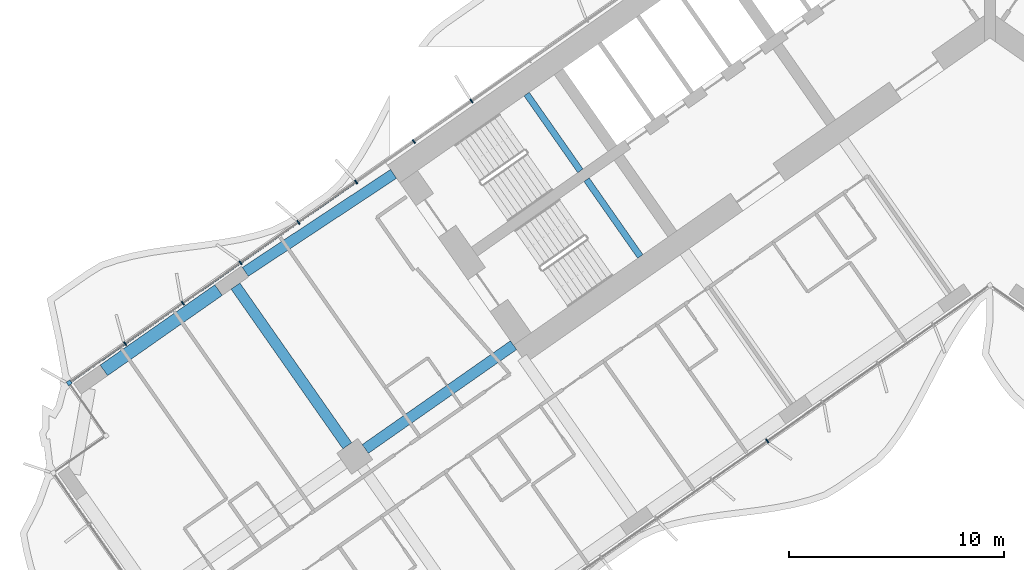
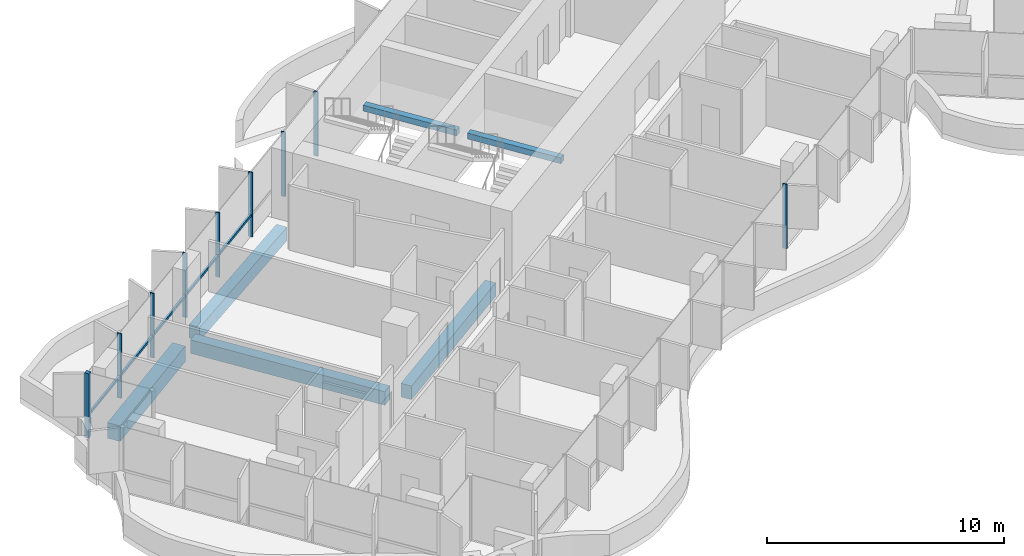
# One storey, part 4 of 25: 10 members, 6 beams, 2 elements without a shape of their own.
"""IFC4 building model written with IfcOpenShell, lengths in metres."""

from ifc_helpers import new_model, si_unit, direction, frame, origin, origin_2d, place, context, subcontext, project, spatial, rectangle, extrude, material, material_profile, profile_set, type_object, element, aggregate, save


model = new_model("IFC4")

# Units and contexts
model_context = context("Model", 3, precision=1e-05, world=origin(), true_north=direction((0.0, 1.0)))
body_context = subcontext(model_context, "Body", "Model", "MODEL_VIEW")
ifc_project = project(units=[si_unit("LENGTHUNIT", "METRE"), si_unit("AREAUNIT", "SQUARE_METRE"), si_unit("VOLUMEUNIT", "CUBIC_METRE"), si_unit("PLANEANGLEUNIT", "RADIAN"), si_unit("MASSUNIT", "GRAM", prefix="KILO")], contexts=[model_context])

# Site, building, storey
site_placement = place(None, origin())
site = spatial("IfcSite", under=ifc_project, at=site_placement, CompositionType="ELEMENT")
building_placement = place(site_placement, origin())
building = spatial("IfcBuilding", under=site, at=building_placement, Name="Tel Ilan Convention Tower", CompositionType="ELEMENT")
storey_placement = place(building_placement, frame((0.0, 0.0, 54.5)))
storey = spatial("IfcBuildingStorey", under=building, at=storey_placement, Name="L08", CompositionType="ELEMENT", Elevation=54.5)

# Beams
ifc_material_1 = material(Name="Concrete C40/50", Category="concrete")
ifc_material_profile_1 = material_profile(ifc_material_1, rectangle(XDim=0.5, YDim=0.699951171875, at=origin_2d()), Name="RC 500x700")
ifc_profile_set_1 = profile_set([ifc_material_profile_1], Name="Concrete C40/50")
beam_type_1 = type_object("IfcBeamType", Name="Beam RC 500x700 Concrete C40/50", PredefinedType="BEAM", material=ifc_profile_set_1)
beam_1_placement = place(storey_placement, frame((-34.570556640625, -12.08447265625, -0.6298828125), z_axis=(0.834273603487, 0.551350663847, 0.0), x_axis=(-0.551350663847, 0.834273603487, 0.0)))
element("IfcBeam", 1, at=beam_1_placement, inside=storey, type_object=beam_type_1, Name="L08 beam W-W-B4-core", PredefinedType="BEAM", context=body_context, shape_type="SweptSolid", body=[
    extrude(rectangle(XDim=0.5, YDim=0.699951171875, at=origin_2d()), origin(), (0.0, 0.0, 1.0), 8.2529296875),
])
beam_2_placement = place(storey_placement, frame((-22.1171875, -15.486572265625, -0.6298828125), z_axis=(-0.819147254605, -0.573583276668, 0.0), x_axis=(0.573583276668, -0.819147254605, 0.0)))
element("IfcBeam", 2, at=beam_2_placement, inside=storey, type_object=beam_type_1, Name="L08 beam W-core-W-M4", PredefinedType="BEAM", context=body_context, shape_type="SweptSolid", body=[
    extrude(rectangle(XDim=0.5, YDim=0.699951171875, at=origin_2d()), origin(), (0.0, 0.0, 1.0), 8.400146484375),
])
beam_3_placement = place(storey_placement, frame((-29.83349609375, -20.1572265625, -0.6298828125), z_axis=(-0.57358002233, 0.819149533348, 0.0), x_axis=(-0.819149533348, -0.57358002233, 0.0)))
element("IfcBeam", 3, at=beam_3_placement, inside=storey, type_object=beam_type_1, Name="L08 beam W-W-M4-W-B4", PredefinedType="BEAM", context=body_context, shape_type="SweptSolid", body=[
    extrude(rectangle(XDim=0.5, YDim=0.699951171875, at=origin_2d()), origin(), (0.0, 0.0, 1.0), 9.050048828125),
])
ifc_material_2 = material(Name="Concrete C40/50", Category="concrete")
ifc_material_profile_2 = material_profile(ifc_material_2, rectangle(XDim=0.60009765625, YDim=0.800048828125, at=origin_2d()), Name="RC 600x800")
ifc_profile_set_2 = profile_set([ifc_material_profile_2], Name="Concrete C40/50")
beam_type_2 = type_object("IfcBeamType", Name="Beam RC 600x800 Concrete C40/50", PredefinedType="BEAM", material=ifc_profile_set_2)
beam_4_placement = place(storey_placement, frame((-41.135498046875, -16.656494140625, -0.679931640625), z_axis=(0.819178980414, 0.573537965655, 0.0), x_axis=(-0.573537965655, 0.819178980414, 0.0)))
element("IfcBeam", 4, at=beam_4_placement, inside=storey, type_object=beam_type_2, Name="L08 beam W-W-BC-W-B4", PredefinedType="BEAM", context=body_context, shape_type="SweptSolid", body=[
    extrude(rectangle(XDim=0.60009765625, YDim=0.800048828125, at=origin_2d()), origin(), (0.0, 0.0, 1.0), 6.5),
])

# Curtain wall, member
ifc_material_3 = material(Name="Aluminium, bronze anodised", Category="aluminium")
curtain_wall_type_1 = type_object("IfcCurtainWallType", Name="CW1 UNITISED CURTAIN WALL, HOTEL TINTED GLASS", PredefinedType="NOTDEFINED", material=ifc_material_3)
curtain_wall_1_placement = place(storey_placement, origin())
curtain_wall_1 = element("IfcCurtainWall", 5, at=curtain_wall_1_placement, inside=storey, type_object=curtain_wall_type_1, Name="Curtain wall CW1-11.02", PredefinedType="NOTDEFINED")
ifc_material_4 = material(Name="Aluminium, bronze anodised", Category="aluminium")
ifc_material_profile_3 = material_profile(ifc_material_4, rectangle(XDim=0.199951171875, YDim=0.199951171875, at=origin_2d()), Name="CW CORNER MULLION 200x200")
ifc_profile_set_3 = profile_set([ifc_material_profile_3], Name="Aluminium, bronze anodised")
member_type_1 = type_object("IfcMemberType", Name="CW CORNER MULLION 200x200", PredefinedType="MULLION", material=ifc_profile_set_3)
member_1_placement = place(storey_placement, frame((-42.7451171875, -17.234375, 0.0), z_axis=(0.0, 0.0, 1.0), x_axis=(-0.819152044289, -0.573576436351, 0.0)))
member_1 = element("IfcMember", 6, at=member_1_placement, type_object=member_type_1, Name="Corner mullion", PredefinedType="MULLION", context=body_context, shape_type="SweptSolid", body=[
    extrude(rectangle(XDim=0.199951171875, YDim=0.199951171875, at=origin_2d()), origin(), (0.0, 0.0, 1.0), 3.320068359375),
])

# Curtain wall, members
ifc_material_5 = material(Name="Aluminium, bronze anodised", Category="aluminium")
curtain_wall_type_2 = type_object("IfcCurtainWallType", Name="CW2 STICK CURTAIN WALL, SPANDREL PANELS", PredefinedType="NOTDEFINED", material=ifc_material_5)
curtain_wall_2_placement = place(storey_placement, origin())
curtain_wall_2 = element("IfcCurtainWall", 7, at=curtain_wall_2_placement, inside=storey, type_object=curtain_wall_type_2, Name="Curtain wall CW2-11.01", PredefinedType="NOTDEFINED")
ifc_material_6 = material(Name="Aluminium, bronze anodised", Category="aluminium")
ifc_material_profile_4 = material_profile(ifc_material_6, rectangle(XDim=0.06005859375, YDim=0.199951171875, at=origin_2d()), Name="CW MULLION 60x200")
ifc_profile_set_4 = profile_set([ifc_material_profile_4], Name="Aluminium, bronze anodised")
member_type_2 = type_object("IfcMemberType", Name="CW MULLION 60x200", PredefinedType="MULLION", material=ifc_profile_set_4)
member_2_placement = place(storey_placement, frame((-24.065185546875, -4.154541015625, 0.0), z_axis=(0.0, 0.0, 1.0), x_axis=(-0.819152044289, -0.573576436351, 0.0)))
member_2 = element("IfcMember", 8, at=member_2_placement, type_object=member_type_2, Name="Mullion", PredefinedType="MULLION", context=body_context, shape_type="SweptSolid", body=[
    extrude(rectangle(XDim=0.06005859375, YDim=0.199951171875, at=origin_2d()), origin(), (0.0, 0.0, 1.0), 3.320068359375),
])
member_3_placement = place(storey_placement, frame((-26.745361328125, -6.03125, 0.0), z_axis=(0.0, 0.0, 1.0), x_axis=(-0.819152044289, -0.573576436351, 0.0)))
member_3 = element("IfcMember", 9, at=member_3_placement, type_object=member_type_2, Name="Mullion", PredefinedType="MULLION", context=body_context, shape_type="SweptSolid", body=[
    extrude(rectangle(XDim=0.06005859375, YDim=0.199951171875, at=origin_2d()), origin(), (0.0, 0.0, 1.0), 3.320068359375),
])
member_4_placement = place(storey_placement, frame((-29.42578125, -7.907958984375, 0.0), z_axis=(0.0, 0.0, 1.0), x_axis=(-0.819152044289, -0.573576436351, 0.0)))
member_4 = element("IfcMember", 10, at=member_4_placement, type_object=member_type_2, Name="Mullion", PredefinedType="MULLION", context=body_context, shape_type="SweptSolid", body=[
    extrude(rectangle(XDim=0.06005859375, YDim=0.199951171875, at=origin_2d()), origin(), (0.0, 0.0, 1.0), 3.320068359375),
])
aggregate(curtain_wall_2, [member_2, member_3, member_4])

# Member
member_5_placement = place(storey_placement, frame((-32.10595703125, -9.78466796875, 0.0), z_axis=(0.0, 0.0, 1.0), x_axis=(-0.819152044289, -0.573576436351, 0.0)))
member_5 = element("IfcMember", 11, at=member_5_placement, type_object=member_type_2, Name="Mullion", PredefinedType="MULLION", context=body_context, shape_type="SweptSolid", body=[
    extrude(rectangle(XDim=0.06005859375, YDim=0.199951171875, at=origin_2d()), origin(), (0.0, 0.0, 1.0), 3.320068359375),
])

member_6_placement = place(storey_placement, frame((-34.7861328125, -11.66162109375, 0.0), z_axis=(0.0, 0.0, 1.0), x_axis=(-0.819152044289, -0.573576436351, 0.0)))
member_6 = element("IfcMember", 12, at=member_6_placement, type_object=member_type_2, Name="Mullion", PredefinedType="MULLION", context=body_context, shape_type="SweptSolid", body=[
    extrude(rectangle(XDim=0.06005859375, YDim=0.199951171875, at=origin_2d()), origin(), (0.0, 0.0, 1.0), 3.320068359375),
])

member_7_placement = place(storey_placement, frame((-37.466552734375, -13.538330078125, 0.0), z_axis=(0.0, 0.0, 1.0), x_axis=(-0.819152044289, -0.573576436351, 0.0)))
member_7 = element("IfcMember", 13, at=member_7_placement, type_object=member_type_2, Name="Mullion", PredefinedType="MULLION", context=body_context, shape_type="SweptSolid", body=[
    extrude(rectangle(XDim=0.06005859375, YDim=0.199951171875, at=origin_2d()), origin(), (0.0, 0.0, 1.0), 3.320068359375),
])

member_8_placement = place(storey_placement, frame((-40.146728515625, -15.4150390625, 0.0), z_axis=(0.0, 0.0, 1.0), x_axis=(-0.819152044289, -0.573576436351, 0.0)))
member_8 = element("IfcMember", 14, at=member_8_placement, type_object=member_type_2, Name="Mullion", PredefinedType="MULLION", context=body_context, shape_type="SweptSolid", body=[
    extrude(rectangle(XDim=0.06005859375, YDim=0.199951171875, at=origin_2d()), origin(), (0.0, 0.0, 1.0), 3.320068359375),
])

member_9_placement = place(storey_placement, frame((-10.337158203125, -19.93408203125, 0.0), z_axis=(0.0, 0.0, 1.0), x_axis=(0.819152044289, 0.573576436351, 0.0)))
member_9 = element("IfcMember", 15, at=member_9_placement, type_object=member_type_2, Name="Mullion", PredefinedType="MULLION", context=body_context, shape_type="SweptSolid", body=[
    extrude(rectangle(XDim=0.06005859375, YDim=0.199951171875, at=origin_2d()), origin(), (0.0, 0.0, 1.0), 3.320068359375),
])

ifc_material_7 = material(Name="Aluminium, bronze anodised", Category="aluminium")
ifc_material_profile_5 = material_profile(ifc_material_7, rectangle(XDim=0.10009765625, YDim=0.1201171875, at=origin_2d()), Name="CW TRANSOM 100x120")
ifc_profile_set_5 = profile_set([ifc_material_profile_5], Name="Aluminium, bronze anodised")
member_type_3 = type_object("IfcMemberType", Name="CW TRANSOM 100x120", PredefinedType="USERDEFINED", material=ifc_profile_set_5)
member_10_placement = place(storey_placement, frame((-29.4501953125, -7.92529296875, 1.10009765625), z_axis=(-0.819153693934, -0.573574080407, 0.0), x_axis=(0.573574080407, -0.819153693934, 0.0)))
member_10 = element("IfcMember", 16, at=member_10_placement, type_object=member_type_3, Name="Transom", ObjectType="TRANSOM", PredefinedType="USERDEFINED", context=body_context, shape_type="SweptSolid", body=[
    extrude(rectangle(XDim=0.10009765625, YDim=0.1201171875, at=origin_2d()), origin(), (0.0, 0.0, 1.0), 16.1298828125),
])

aggregate(curtain_wall_1, [member_5, member_6, member_7, member_8, member_1, member_10, member_9])

# Beams
ifc_material_8 = material(Name="Concrete C40/50", Category="concrete")
ifc_material_profile_6 = material_profile(ifc_material_8, rectangle(XDim=0.300048828125, YDim=0.300048828125, at=origin_2d()), Name="RC 300x300")
ifc_profile_set_6 = profile_set([ifc_material_profile_6], Name="Concrete C40/50")
beam_type_3 = type_object("IfcBeamType", Name="Landing Beam RC 300x300 Concrete C40/50", PredefinedType="BEAM", material=ifc_profile_set_6)
beam_5_placement = place(storey_placement, frame((-19.013671875, -7.392822265625, 1.449951171875), z_axis=(-0.57356780395, 0.819158088694, 0.0), x_axis=(-0.819158088694, -0.57356780395, 0.0)))
element("IfcBeam", 17, at=beam_5_placement, inside=storey, type_object=beam_type_3, Name="S1 landing beam L08.1", PredefinedType="BEAM", context=body_context, shape_type="SweptSolid", body=[
    extrude(rectangle(XDim=0.300048828125, YDim=0.300048828125, at=origin_2d()), origin(), (0.0, 0.0, 1.0), 4.35009765625),
])
beam_6_placement = place(storey_placement, frame((-16.231689453125, -11.365478515625, 1.449951171875), z_axis=(-0.573594173421, 0.819139624372, 0.0), x_axis=(-0.819139624372, -0.573594173421, 0.0)))
element("IfcBeam", 18, at=beam_6_placement, inside=storey, type_object=beam_type_3, Name="S2 landing beam L08.1", PredefinedType="BEAM", context=body_context, shape_type="SweptSolid", body=[
    extrude(rectangle(XDim=0.300048828125, YDim=0.300048828125, at=origin_2d()), origin(), (0.0, 0.0, 1.0), 4.349853515625),
])

save(model, "model.ifc")
